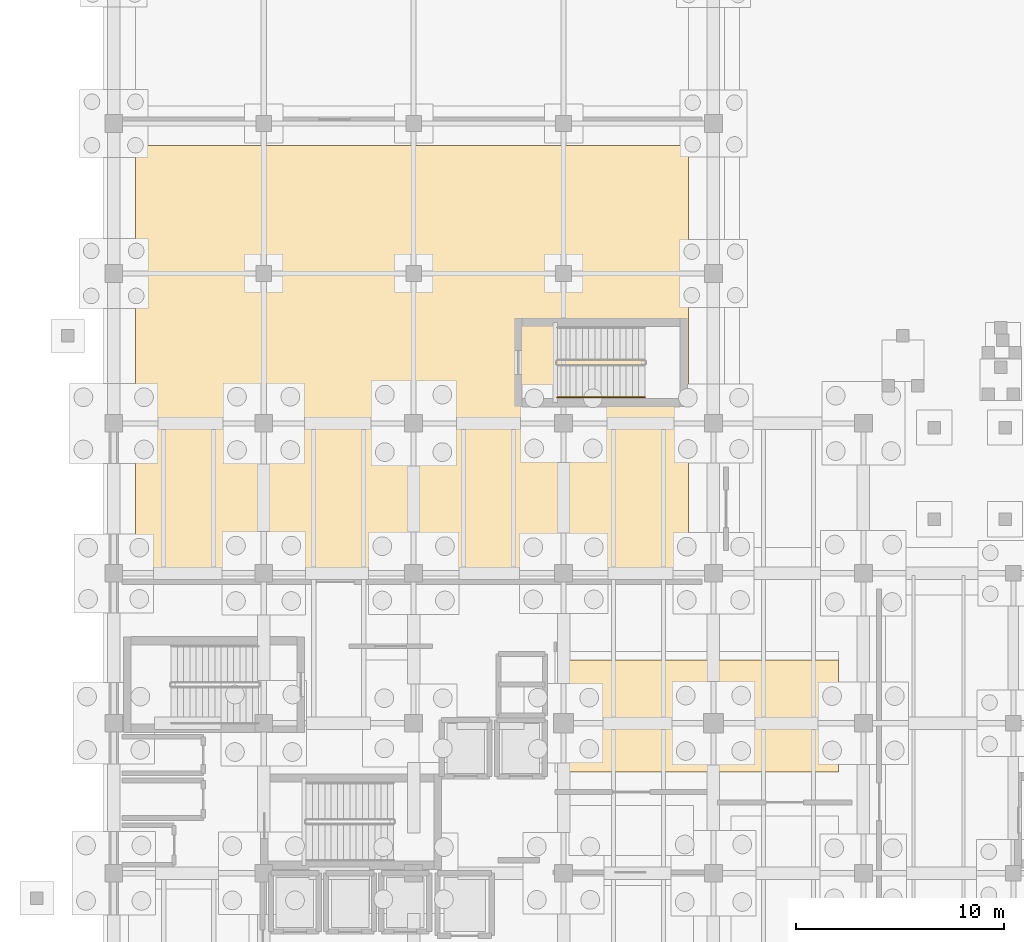
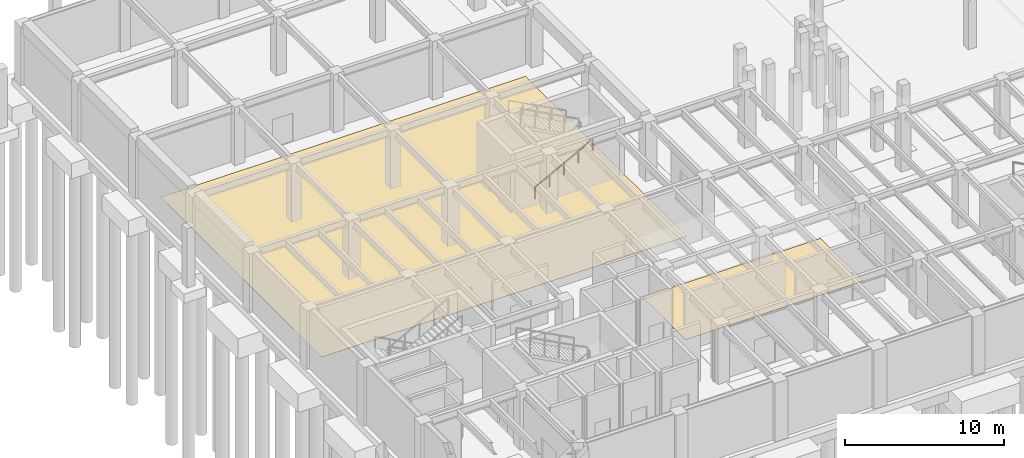
# One storey, part 21 of 26: 2 coverings, 1 railing.
"""IFC4 building model written with IfcOpenShell, lengths in metres."""

from ifc_helpers import new_model, si_unit, direction, frame, origin, origin_2d, place, context, subcontext, project, spatial, polyline, circle, outline, extrude, material, layer, layer_set, type_object, element, save


model = new_model("IFC4")

# Units and contexts
model_context = context("Model", 3, precision=1e-05, world=origin(), true_north=direction((0.0, 1.0)))
body_context = subcontext(model_context, "Body", "Model", "MODEL_VIEW")
ifc_project = project(units=[si_unit("LENGTHUNIT", "METRE"), si_unit("AREAUNIT", "SQUARE_METRE"), si_unit("VOLUMEUNIT", "CUBIC_METRE"), si_unit("PLANEANGLEUNIT", "RADIAN"), si_unit("MASSUNIT", "GRAM", prefix="KILO")], contexts=[model_context])

# Site, building, storey
site_placement = place(None, origin())
site = spatial("IfcSite", under=ifc_project, at=site_placement, CompositionType="ELEMENT")
building_placement = place(site_placement, origin())
building = spatial("IfcBuilding", under=site, at=building_placement, Name="Kandorven Conservatory and Botanical Research Centre", CompositionType="ELEMENT")
storey_placement = place(building_placement, frame((0.0, 0.0, -4.800048828125)))
storey = spatial("IfcBuildingStorey", under=building, at=storey_placement, Name="B01", CompositionType="ELEMENT", Elevation=-4.800048828125)

# Coverings
ifc_material_1 = material(Name="Honed Kota stone and epoxy laboratory flooring", Category="masonry")
ifc_layer = layer(ifc_material_1, 0.02490234375)
ifc_layer_set = layer_set([ifc_layer], Name="Honed Kota stone and epoxy laboratory flooring")
covering_type = type_object("IfcCoveringType", Name="Cov_Flooring_1", PredefinedType="FLOORING", material=ifc_layer_set)
covering_1_placement = place(storey_placement, origin())
element("IfcCovering", 1, at=covering_1_placement, inside=storey, type_object=covering_type, Name="Floor finish FLR-01 (Botanical Propagation and Potting Workshop)", PredefinedType="FLOORING", context=body_context, shape_type="SweptSolid", body=[
    extrude(outline(polyline([(27.85009765625, 18.050048828125), (40.800048828125, 18.050048828125), (40.800048828125, 23.449951171875), (27.85009765625, 23.449951171875), (27.85009765625, 18.050048828125)])), origin(), (0.0, 0.0, 1.0), 0.025146484375),
])
covering_2_placement = place(storey_placement, origin())
element("IfcCovering", 2, at=covering_2_placement, inside=storey, type_object=covering_type, Name="Floor finish FLR-01 (Central Water-Cooled Chiller Plant Room)", PredefinedType="FLOORING", context=body_context, shape_type="SweptSolid", body=[
    extrude(outline(polyline([(7.050048828125, 27.85009765625), (33.60009765625, 27.85009765625), (33.60009765625, 48.14990234375), (7.050048828125, 48.14990234375), (7.050048828125, 27.85009765625)])), origin(), (0.0, 0.0, 1.0), 0.025146484375),
])

# Railing
ifc_material_2 = material(Name="Steel S355 (IS 2062 E350)", Category="steel")
railing_type = type_object("IfcRailingType", Name="StairHandrail_900", PredefinedType="HANDRAIL", material=ifc_material_2)
railing_placement = place(storey_placement, frame((27.300048828125, 36.050048828125, 0.16015625)))
element("IfcRailing", 3, at=railing_placement, inside=storey, type_object=railing_type, Name="B01 ST-V2 stair handrail 1", PredefinedType="HANDRAIL", context=body_context, shape_type="SweptSolid", body=[
    extrude(circle(Radius=0.02392578125, at=origin_2d()), frame((0.0, 0.0, 0.8759765625), z_axis=(0.882351521365, 0.0, 0.470590897432), x_axis=(0.0, 1.0, 0.0)), (0.0, 0.0, 1.0), 4.760009765625),
    extrude(circle(Radius=0.02099609375, at=origin_2d()), origin(), (0.0, 0.0, 1.0), 0.851806640625),
    extrude(circle(Radius=0.02099609375, at=origin_2d()), frame((1.050048828125, 0.0, 0.56005859375)), (0.0, 0.0, 1.0), 0.851806640625),
    extrude(circle(Radius=0.02099609375, at=origin_2d()), frame((2.10009765625, 0.0, 1.1201171875)), (0.0, 0.0, 1.0), 0.851806640625),
    extrude(circle(Radius=0.02099609375, at=origin_2d()), frame((3.14990234375, 0.0, 1.679931640625)), (0.0, 0.0, 1.0), 0.851806640625),
    extrude(circle(Radius=0.02099609375, at=origin_2d()), frame((4.199951171875, 0.0, 2.239990234375)), (0.0, 0.0, 1.0), 0.851806640625),
])

save(model, "model.ifc")
